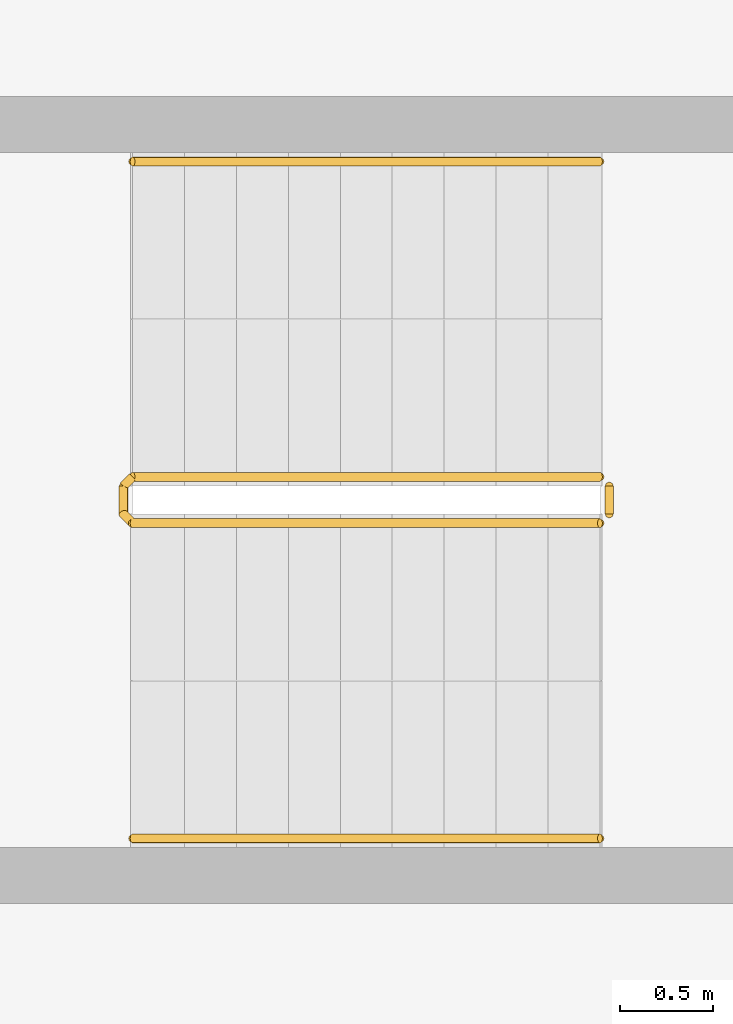
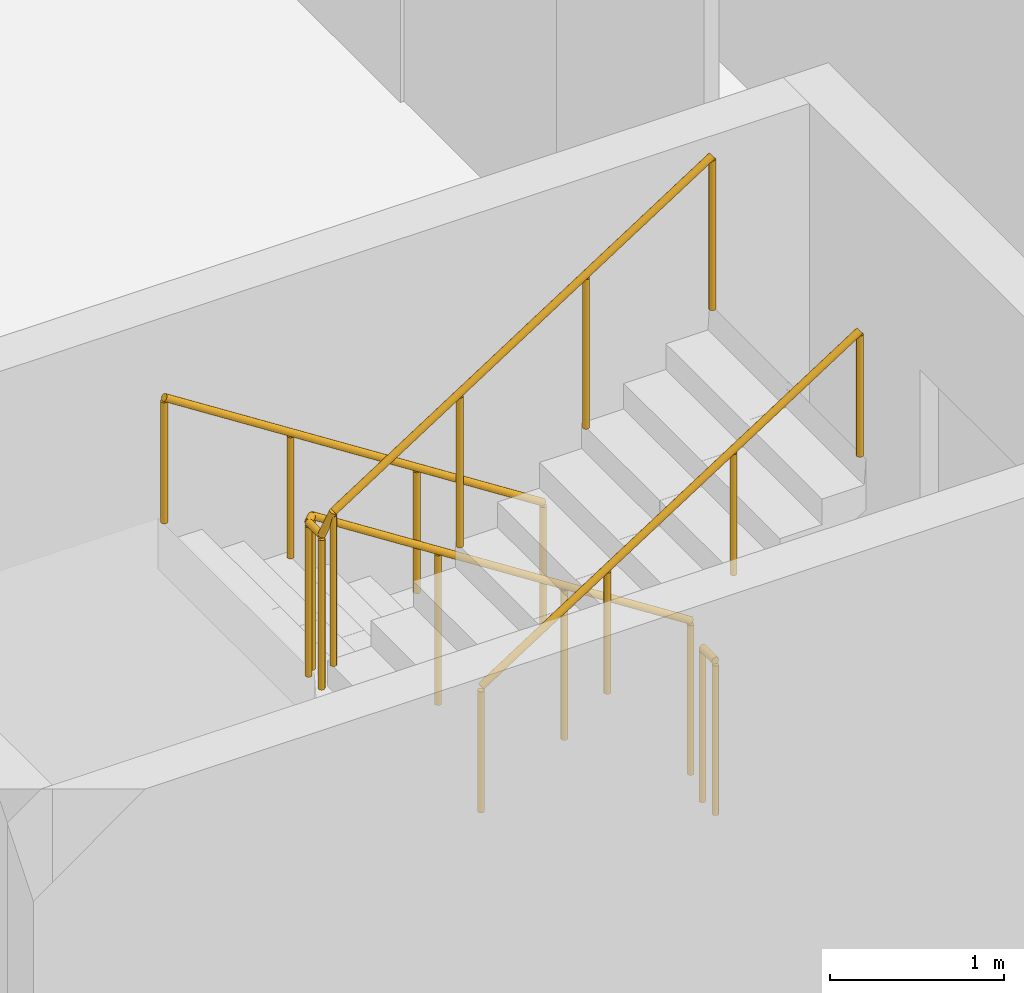
# One storey, part 24 of 27: 4 railings.
"""IFC4 building model written with IfcOpenShell, lengths in metres."""

from ifc_helpers import new_model, si_unit, direction, frame, origin, origin_2d, place, context, subcontext, project, spatial, circle, extrude, material, type_object, element, save


model = new_model("IFC4")

# Units and contexts
model_context = context("Model", 3, precision=1e-05, world=origin(), true_north=direction((0.0, 1.0)))
body_context = subcontext(model_context, "Body", "Model", "MODEL_VIEW")
ifc_project = project(units=[si_unit("LENGTHUNIT", "METRE"), si_unit("AREAUNIT", "SQUARE_METRE"), si_unit("VOLUMEUNIT", "CUBIC_METRE"), si_unit("PLANEANGLEUNIT", "RADIAN"), si_unit("MASSUNIT", "GRAM", prefix="KILO")], contexts=[model_context])

# Site, building, storey
site_placement = place(None, origin())
site = spatial("IfcSite", under=ifc_project, at=site_placement, CompositionType="ELEMENT")
building_placement = place(site_placement, origin())
building = spatial("IfcBuilding", under=site, at=building_placement, Name="Wharfspan Tower", CompositionType="ELEMENT")
storey_placement = place(building_placement, frame((0.0, 0.0, 81.100098)))
storey = spatial("IfcBuildingStorey", under=building, at=storey_placement, Name="L17", CompositionType="ELEMENT", Elevation=81.100098)

# Railings
ifc_material = material(Name="Steel S355J2", Category="steel")
railing_type_1 = type_object("IfcRailingType", Name="Stair guard 1100", PredefinedType="GUARDRAIL", material=ifc_material)
railing_1_placement = place(storey_placement, frame((6.899902, 22.625, 0.179932)))
element("IfcRailing", 1, at=railing_1_placement, inside=storey, type_object=railing_type_1, Name="L17 ST3 stair guard 1", PredefinedType="GUARDRAIL", context=body_context, shape_type="SweptSolid", body=[
    extrude(circle(Radius=0.023926, at=origin_2d()), frame((0.0, 0.0, 1.076172), z_axis=(-0.8412, 0.0, 0.540725), x_axis=(0.0, -1.0, 0.0)), (0.0, 0.0, 1.0), 2.99585),
    extrude(circle(Radius=0.023926, at=origin_2d()), frame((-2.52002, 0.0, 2.695801), z_axis=(-0.705376, -0.708834, 0.0), x_axis=(0.708834, -0.705376, 0.0)), (0.0, 0.0, 1.0), 0.070557),
    extrude(circle(Radius=0.023926, at=origin_2d()), frame((-2.569824, -0.050049, 2.695801), z_axis=(0.0, -1.0, 0.0), x_axis=(1.0, 0.0, 0.0)), (0.0, 0.0, 1.0), 0.149902),
    extrude(circle(Radius=0.023926, at=origin_2d()), frame((-2.569824, -0.199951, 2.695801), z_axis=(0.257366, -0.258628, 0.931061), x_axis=(0.708838, 0.705372, -2e-06)), (0.0, 0.0, 1.0), 0.193604),
    extrude(circle(Radius=0.023926, at=origin_2d()), frame((-2.52002, -0.25, 2.875977), z_axis=(0.8412, 0.0, 0.540725), x_axis=(0.0, 1.0, 0.0)), (0.0, 0.0, 1.0), 2.99585),
    extrude(circle(Radius=0.020996, at=origin_2d()), origin(), (0.0, 0.0, 1.0), 1.052002),
    extrude(circle(Radius=0.020996, at=origin_2d()), frame((-0.840088, 0.0, 0.540039)), (0.0, 0.0, 1.0), 1.052002),
    extrude(circle(Radius=0.020996, at=origin_2d()), frame((-1.679932, 0.0, 1.079834)), (0.0, 0.0, 1.0), 1.052002),
    extrude(circle(Radius=0.020996, at=origin_2d()), frame((-2.52002, 0.0, 1.619873)), (0.0, 0.0, 1.0), 1.052002),
    extrude(circle(Radius=0.020996, at=origin_2d()), frame((-2.569824, -0.050049, 1.619873)), (0.0, 0.0, 1.0), 1.052002),
    extrude(circle(Radius=0.020996, at=origin_2d()), frame((-2.569824, -0.199951, 1.619873)), (0.0, 0.0, 1.0), 1.052002),
    extrude(circle(Radius=0.020996, at=origin_2d()), frame((-2.52002, -0.25, 1.800049)), (0.0, 0.0, 1.0), 1.052002),
    extrude(circle(Radius=0.020996, at=origin_2d()), frame((-1.679932, -0.25, 2.340088)), (0.0, 0.0, 1.0), 1.052002),
    extrude(circle(Radius=0.020996, at=origin_2d()), frame((-0.840088, -0.25, 2.879883)), (0.0, 0.0, 1.0), 1.052002),
    extrude(circle(Radius=0.020996, at=origin_2d()), frame((0.0, -0.25, 3.419922)), (0.0, 0.0, 1.0), 1.052002),
])
railing_2_placement = place(storey_placement, frame((6.949951, 22.574951, 0.0)))
element("IfcRailing", 2, at=railing_2_placement, inside=storey, type_object=railing_type_1, Name="L17 ST3 stair guard 2", PredefinedType="GUARDRAIL", context=body_context, shape_type="SweptSolid", body=[
    extrude(circle(Radius=0.023926, at=origin_2d()), frame((0.0, 0.0, 1.076172), z_axis=(0.0, -1.0, 0.0), x_axis=(1.0, 0.0, 0.0)), (0.0, 0.0, 1.0), 0.149902),
    extrude(circle(Radius=0.020996, at=origin_2d()), origin(), (0.0, 0.0, 1.0), 1.052002),
    extrude(circle(Radius=0.020996, at=origin_2d()), frame((0.0, -0.149902, 0.0)), (0.0, 0.0, 1.0), 1.052002),
])
railing_type_2 = type_object("IfcRailingType", Name="Stair handrail 900", PredefinedType="HANDRAIL", material=ifc_material)
railing_3_placement = place(storey_placement, frame((6.899902, 24.324951, 0.179932)))
element("IfcRailing", 3, at=railing_3_placement, inside=storey, type_object=railing_type_2, Name="L17 ST3 stair handrail 1", PredefinedType="HANDRAIL", context=body_context, shape_type="SweptSolid", body=[
    extrude(circle(Radius=0.023926, at=origin_2d()), frame((0.0, 0.0, 0.875977), z_axis=(-0.8412, 0.0, 0.540725), x_axis=(0.0, -1.0, 0.0)), (0.0, 0.0, 1.0), 2.99585),
    extrude(circle(Radius=0.020996, at=origin_2d()), origin(), (0.0, 0.0, 1.0), 0.851807),
    extrude(circle(Radius=0.020996, at=origin_2d()), frame((-0.840088, 0.0, 0.540039)), (0.0, 0.0, 1.0), 0.851807),
    extrude(circle(Radius=0.020996, at=origin_2d()), frame((-1.679932, 0.0, 1.079834)), (0.0, 0.0, 1.0), 0.851807),
    extrude(circle(Radius=0.020996, at=origin_2d()), frame((-2.52002, 0.0, 1.619873)), (0.0, 0.0, 1.0), 0.851807),
])
railing_4_placement = place(storey_placement, frame((4.379883, 20.675049, 1.97998)))
element("IfcRailing", 4, at=railing_4_placement, inside=storey, type_object=railing_type_2, Name="L17 ST3 stair handrail 2", PredefinedType="HANDRAIL", context=body_context, shape_type="SweptSolid", body=[
    extrude(circle(Radius=0.023926, at=origin_2d()), frame((0.0, 0.0, 0.875977), z_axis=(0.8412, 0.0, 0.540725), x_axis=(0.0, 1.0, 0.0)), (0.0, 0.0, 1.0), 2.99585),
    extrude(circle(Radius=0.020996, at=origin_2d()), origin(), (0.0, 0.0, 1.0), 0.851807),
    extrude(circle(Radius=0.020996, at=origin_2d()), frame((0.840088, 0.0, 0.540039)), (0.0, 0.0, 1.0), 0.851807),
    extrude(circle(Radius=0.020996, at=origin_2d()), frame((1.679932, 0.0, 1.079834)), (0.0, 0.0, 1.0), 0.851807),
    extrude(circle(Radius=0.020996, at=origin_2d()), frame((2.52002, 0.0, 1.619873)), (0.0, 0.0, 1.0), 0.851807),
])

save(model, "model.ifc")
